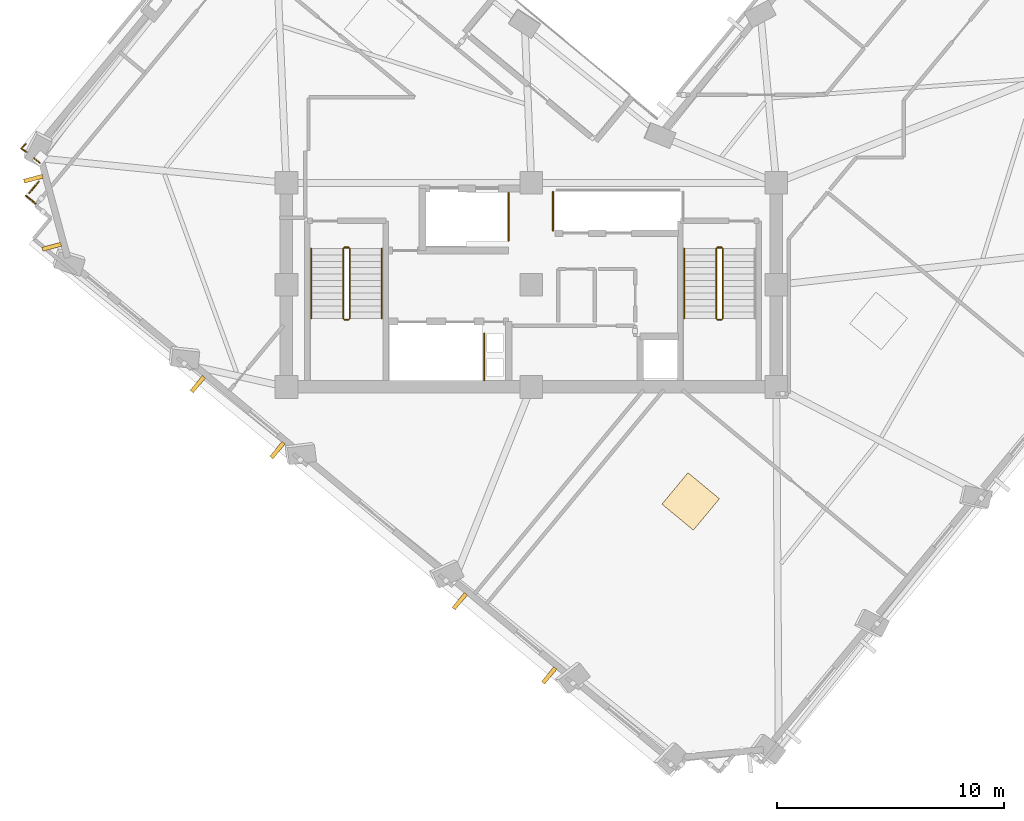
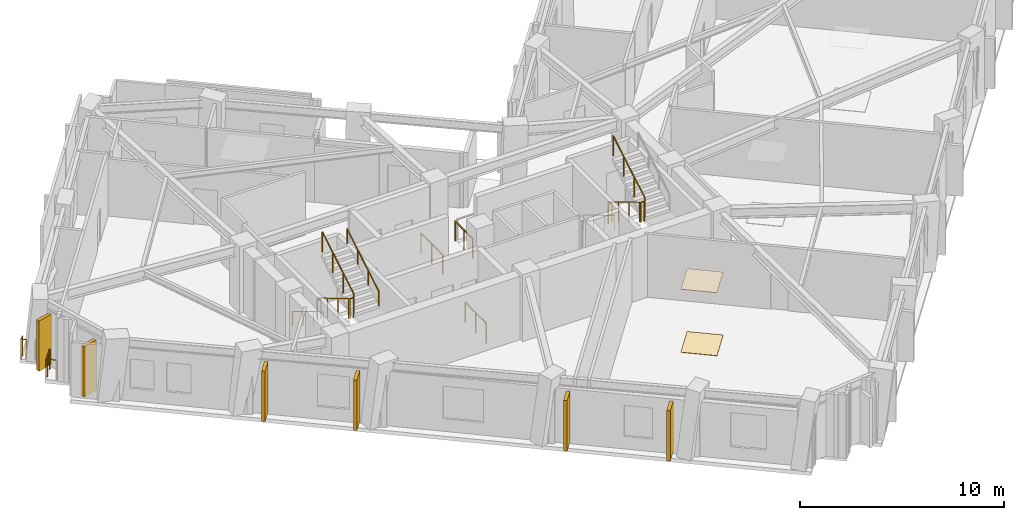
# One storey, part 8 of 10: 18 railings, 6 shading devices, 2 coverings.
"""IFC4 building model written with IfcOpenShell, lengths in metres."""

from ifc_helpers import new_model, si_unit, direction, frame, origin, origin_2d, place, context, subcontext, project, spatial, rectangle, circle, extrude, material, layer, layer_set, type_object, element, save


model = new_model("IFC4")

# Units and contexts
model_context = context("Model", 3, precision=1e-05, world=origin(), true_north=direction((0.0, 1.0)))
body_context = subcontext(model_context, "Body", "Model", "MODEL_VIEW")
ifc_project = project(units=[si_unit("LENGTHUNIT", "METRE"), si_unit("AREAUNIT", "SQUARE_METRE"), si_unit("VOLUMEUNIT", "CUBIC_METRE"), si_unit("PLANEANGLEUNIT", "RADIAN"), si_unit("MASSUNIT", "GRAM", prefix="KILO")], contexts=[model_context])

# Site, building, storey
site_placement = place(None, origin())
site = spatial("IfcSite", under=ifc_project, at=site_placement, CompositionType="ELEMENT")
building_placement = place(site_placement, origin())
building = spatial("IfcBuilding", under=site, at=building_placement, Name="Gaonmaruhae Medical Tower", CompositionType="ELEMENT")
storey_placement = place(building_placement, frame((0.0, 0.0, 239.199951171875)))
storey = spatial("IfcBuildingStorey", under=building, at=storey_placement, Name="L57", CompositionType="ELEMENT", Elevation=239.199951171875)

# Coverings
ifc_material_1 = material(Name="Acoustic mineral ceiling tile", Category="finish")
ifc_layer_1 = layer(ifc_material_1, 0.02490234375)
ifc_layer_set_1 = layer_set([ifc_layer_1], Name="Acoustic mineral ceiling tile")
covering_type_1 = type_object("IfcCoveringType", Name="CLG-01 Antimicrobial Acoustic Mineral Ceiling", PredefinedType="CEILING", material=ifc_layer_set_1)
covering_1_placement = place(storey_placement, frame((31.826904296875, 2.75, 3.755126953125), z_axis=(0.0, 0.0, 1.0), x_axis=(0.638096146601, 0.769956692089, 0.0)))
element("IfcCovering", 1, at=covering_1_placement, inside=storey, type_object=covering_type_1, Name="L57 Clinical Room Acoustic Ceiling 2", PredefinedType="CEILING", context=body_context, shape_type="SweptSolid", body=[
    extrude(rectangle(XDim=1.800048828125, YDim=1.800048828125, at=origin_2d()), origin(), (0.0, 0.0, 1.0), 0.02490234375),
])
ifc_material_2 = material(Name="Seamless clinical vinyl flooring", Category="finish")
ifc_layer_2 = layer(ifc_material_2, 0.014892578125)
ifc_layer_set_2 = layer_set([ifc_layer_2], Name="Seamless clinical vinyl flooring")
covering_type_2 = type_object("IfcCoveringType", Name="FLR-01 Seamless Clinical Antistatic Vinyl Flooring", PredefinedType="FLOORING", material=ifc_layer_set_2)
covering_2_placement = place(storey_placement, frame((31.826904296875, 2.75, 0.0), z_axis=(0.0, 0.0, 1.0), x_axis=(0.638096146601, 0.769956692089, 0.0)))
element("IfcCovering", 2, at=covering_2_placement, inside=storey, type_object=covering_type_2, Name="L57 Clinical Room Vinyl Flooring 2", PredefinedType="FLOORING", context=body_context, shape_type="SweptSolid", body=[
    extrude(rectangle(XDim=1.800048828125, YDim=1.800048828125, at=origin_2d()), origin(), (0.0, 0.0, 1.0), 0.014892578125),
])

# Railings
ifc_material_3 = material(Name="Stainless steel 316L and laminated safety glass", Category="steel")
ifc_layer_3 = layer(ifc_material_3, 0.080078125)
ifc_layer_set_3 = layer_set([ifc_layer_3], Name="Stainless steel 316L and laminated safety glass")
railing_type_1 = type_object("IfcRailingType", Name="GD-120 Outdoor Terrace Safety Glass & Steel Balustrade", PredefinedType="BALUSTRADE", material=ifc_layer_set_3)
railing_1_placement = place(storey_placement, frame((2.9375, 15.884765625, 0.0)))
element("IfcRailing", 3, at=railing_1_placement, inside=storey, type_object=railing_type_1, Name="L57 Perimeter Slab Edge Safety Balustrade 05", PredefinedType="BALUSTRADE", context=body_context, shape_type="SweptSolid", body=[
    extrude(circle(Radius=0.02392578125, at=origin_2d()), frame((0.0, 0.0, 1.17578125), z_axis=(-0.770076645584, 0.6379513774, 0.0), x_axis=(-0.6379513774, -0.770076645584, 0.0)), (0.0, 0.0, 1.0), 0.559814453125),
    extrude(circle(Radius=0.02099609375, at=origin_2d()), origin(), (0.0, 0.0, 1.0), 1.15185546875),
    extrude(circle(Radius=0.02099609375, at=origin_2d()), frame((-0.43115234375, 0.357177734375, 0.0)), (0.0, 0.0, 1.0), 1.15185546875),
])
railing_2_placement = place(storey_placement, frame((2.661865234375, 16.351318359375, 0.0)))
element("IfcRailing", 4, at=railing_2_placement, inside=storey, type_object=railing_type_1, Name="L57 Perimeter Slab Edge Safety Balustrade 06", PredefinedType="BALUSTRADE", context=body_context, shape_type="SweptSolid", body=[
    extrude(circle(Radius=0.02392578125, at=origin_2d()), frame((0.0, 0.0, 1.17578125), z_axis=(0.6379990675, 0.770037135383, 0.0), x_axis=(-0.770037135383, 0.6379990675, 0.0)), (0.0, 0.0, 1.0), 0.66015625),
    extrude(circle(Radius=0.02099609375, at=origin_2d()), origin(), (0.0, 0.0, 1.0), 1.15185546875),
    extrude(circle(Radius=0.02099609375, at=origin_2d()), frame((0.421142578125, 0.50830078125, 0.0)), (0.0, 0.0, 1.0), 1.15185546875),
])
railing_3_placement = place(storey_placement, frame((3.124755859375, 17.677734375, 0.0)))
element("IfcRailing", 5, at=railing_3_placement, inside=storey, type_object=railing_type_1, Name="L57 Perimeter Slab Edge Safety Balustrade 07", PredefinedType="BALUSTRADE", context=body_context, shape_type="SweptSolid", body=[
    extrude(circle(Radius=0.02392578125, at=origin_2d()), frame((0.0, 0.0, 1.17578125), z_axis=(-0.769811700196, 0.638271060163, 0.0), x_axis=(-0.638271060163, -0.769811700196, 0.0)), (0.0, 0.0, 1.0), 0.32666015625),
    extrude(circle(Radius=0.02099609375, at=origin_2d()), origin(), (0.0, 0.0, 1.0), 1.15185546875),
    extrude(circle(Radius=0.02099609375, at=origin_2d()), frame((-0.25146484375, 0.20849609375, 0.0)), (0.0, 0.0, 1.0), 1.15185546875),
])
railing_4_placement = place(storey_placement, frame((2.53955078125, 18.16259765625, 0.0)))
element("IfcRailing", 6, at=railing_4_placement, inside=storey, type_object=railing_type_1, Name="L57 Perimeter Corner Safety Balustrade 12", PredefinedType="BALUSTRADE", context=body_context, shape_type="SweptSolid", body=[
    extrude(circle(Radius=0.02392578125, at=origin_2d()), frame((0.0, 0.0, 1.17578125), z_axis=(-0.841730534215, 0.539897867906, 0.0), x_axis=(-0.539897867906, -0.841730534215, 0.0)), (0.0, 0.0, 1.0), 0.287109375),
    extrude(circle(Radius=0.02392578125, at=origin_2d()), frame((-0.24169921875, 0.155029296875, 1.17578125), z_axis=(0.727225409927, 0.686398720247, 0.0), x_axis=(-0.686398720247, 0.727225409927, 0.0)), (0.0, 0.0, 1.0), 0.287109375),
    extrude(circle(Radius=0.02099609375, at=origin_2d()), origin(), (0.0, 0.0, 1.0), 1.15185546875),
    extrude(circle(Radius=0.02099609375, at=origin_2d()), frame((-0.24169921875, 0.155029296875, 0.0)), (0.0, 0.0, 1.0), 1.15185546875),
    extrude(circle(Radius=0.02099609375, at=origin_2d()), frame((-0.032958984375, 0.35205078125, 0.0)), (0.0, 0.0, 1.0), 1.15185546875),
])
ifc_material_4 = material(Name="Stainless steel 304 handrail", Category="steel")
railing_type_2 = type_object("IfcRailingType", Name="HR-092 Continuous Stainless Steel Stair Handrail", PredefinedType="HANDRAIL", material=ifc_material_4)
railing_5_placement = place(storey_placement, frame((15.10009765625, 13.89990234375, 0.166748046875)))
element("IfcRailing", 7, at=railing_5_placement, inside=storey, type_object=railing_type_2, Name="L57 ST-01 stair handrail 1", PredefinedType="HANDRAIL", context=body_context, shape_type="SweptSolid", body=[
    extrude(circle(Radius=0.02392578125, at=origin_2d()), frame((0.0, 0.0, 0.8759765625), z_axis=(0.0, -0.859290745958, 0.51148745235), x_axis=(1.0, 0.0, 0.0)), (0.0, 0.0, 1.0), 3.584228515625),
    extrude(circle(Radius=0.02099609375, at=origin_2d()), origin(), (0.0, 0.0, 1.0), 0.851806640625),
    extrude(circle(Radius=0.02099609375, at=origin_2d()), frame((0.0, -1.026611328125, 0.611083984375)), (0.0, 0.0, 1.0), 0.851806640625),
    extrude(circle(Radius=0.02099609375, at=origin_2d()), frame((0.0, -2.05322265625, 1.22216796875)), (0.0, 0.0, 1.0), 0.851806640625),
    extrude(circle(Radius=0.02099609375, at=origin_2d()), frame((0.0, -3.079833984375, 1.833251953125)), (0.0, 0.0, 1.0), 0.851806640625),
])
railing_6_placement = place(storey_placement, frame((18.199951171875, 10.820068359375, 2.166748046875)))
element("IfcRailing", 8, at=railing_6_placement, inside=storey, type_object=railing_type_2, Name="L57 ST-01 stair handrail 2", PredefinedType="HANDRAIL", context=body_context, shape_type="SweptSolid", body=[
    extrude(circle(Radius=0.02392578125, at=origin_2d()), frame((0.0, 0.0, 0.8759765625), z_axis=(0.0, 0.859290745958, 0.51148745235), x_axis=(-1.0, 0.0, 0.0)), (0.0, 0.0, 1.0), 3.584228515625),
    extrude(circle(Radius=0.02099609375, at=origin_2d()), origin(), (0.0, 0.0, 1.0), 0.851806640625),
    extrude(circle(Radius=0.02099609375, at=origin_2d()), frame((0.0, 1.026611328125, 0.611083984375)), (0.0, 0.0, 1.0), 0.851806640625),
    extrude(circle(Radius=0.02099609375, at=origin_2d()), frame((0.0, 2.05322265625, 1.22216796875)), (0.0, 0.0, 1.0), 0.851806640625),
    extrude(circle(Radius=0.02099609375, at=origin_2d()), frame((0.0, 3.079833984375, 1.833251953125)), (0.0, 0.0, 1.0), 0.851806640625),
])
railing_7_placement = place(storey_placement, frame((31.550048828125, 13.89990234375, 0.166748046875)))
element("IfcRailing", 9, at=railing_7_placement, inside=storey, type_object=railing_type_2, Name="L57 ST-02 stair handrail 1", PredefinedType="HANDRAIL", context=body_context, shape_type="SweptSolid", body=[
    extrude(circle(Radius=0.02392578125, at=origin_2d()), frame((0.0, 0.0, 0.8759765625), z_axis=(0.0, -0.859290745958, 0.51148745235), x_axis=(1.0, 0.0, 0.0)), (0.0, 0.0, 1.0), 3.584228515625),
    extrude(circle(Radius=0.02099609375, at=origin_2d()), origin(), (0.0, 0.0, 1.0), 0.851806640625),
    extrude(circle(Radius=0.02099609375, at=origin_2d()), frame((0.0, -1.026611328125, 0.611083984375)), (0.0, 0.0, 1.0), 0.851806640625),
    extrude(circle(Radius=0.02099609375, at=origin_2d()), frame((0.0, -2.05322265625, 1.22216796875)), (0.0, 0.0, 1.0), 0.851806640625),
    extrude(circle(Radius=0.02099609375, at=origin_2d()), frame((0.0, -3.079833984375, 1.833251953125)), (0.0, 0.0, 1.0), 0.851806640625),
])

# Shading devices
ifc_material_5 = material(Name="Pigmented coral precast concrete C45/55", Category="concrete")
shading_device_type = type_object("IfcShadingDeviceType", Name="SD-FIN1 Tower Vertical Coral Precast Shading Fin", PredefinedType="USERDEFINED", material=ifc_material_5)
for number, where, z_axis, x_axis, name in (
    (10, (3.649169921875, 13.982177734375, 0.132568359375), (0.0, 0.0, 1.0), (-0.261043689625, 0.965326987143, 0.0), "L57 Vertical Coral Precast Shading Fin N03"),
    (11, (2.837890625, 16.982421875, 0.132568359375), (0.0, 0.0, 1.0), (-0.261043689625, 0.965326987143, 0.0), "L57 Vertical Coral Precast Shading Fin N03B"),
    (12, (13.60400390625, 5.01220703125, 0.132568359375), (0.0, 0.0, 1.0), (-0.769956692089, 0.638096146601, 0.0), "L57 Vertical Coral Precast Shading Fin W02"),
    (13, (10.09228515625, 7.922607421875, 0.132568359375), (0.0, 0.0, 1.0), (-0.769956692089, 0.638096146601, 0.0), "L57 Vertical Coral Precast Shading Fin W02B"),
    (14, (25.5888671875, -4.919921875, 0.132568359375), (0.0, 0.0, 1.0), (-0.769967828851, 0.638082708225, 0.0), "L57 Vertical Coral Precast Shading Fin W04"),
    (15, (21.642578125, -1.649658203125, 0.132568359375), (0.0, 0.0, 1.0), (-0.769967828851, 0.638082708225, 0.0), "L57 Vertical Coral Precast Shading Fin W04B"),
):
    element("IfcShadingDevice", number, at=place(storey_placement, frame(where, z_axis=z_axis, x_axis=x_axis)), inside=storey, type_object=shading_device_type, Name=name, ObjectType="FIN", PredefinedType="USERDEFINED", context=body_context, shape_type="SweptSolid", body=[
        extrude(rectangle(XDim=0.179931640625, YDim=0.85009765625, at=origin_2d()), origin(), (0.0, 0.0, 1.0), 3.0),
    ])

# Railings
ifc_material_6 = material(Name="Stainless steel 304 balustrade", Category="steel")
railing_type_3 = type_object("IfcRailingType", Name="SG-112 Stair Well & Ramp Void Safety Balustrade", PredefinedType="BALUSTRADE", material=ifc_material_6)
railing_8_placement = place(storey_placement, frame((16.5, 13.89990234375, 0.166748046875)))
element("IfcRailing", 16, at=railing_8_placement, inside=storey, type_object=railing_type_3, Name="L57 ST-01 stair guard 1", PredefinedType="BALUSTRADE", context=body_context, shape_type="SweptSolid", body=[
    extrude(circle(Radius=0.02392578125, at=origin_2d()), frame((0.0, 0.0, 1.17578125), z_axis=(0.0, -0.859290745958, 0.51148745235), x_axis=(1.0, 0.0, 0.0)), (0.0, 0.0, 1.0), 3.584228515625),
    extrude(circle(Radius=0.02099609375, at=origin_2d()), origin(), (0.0, 0.0, 1.0), 1.15185546875),
    extrude(circle(Radius=0.02099609375, at=origin_2d()), frame((0.0, -1.026611328125, 0.611083984375)), (0.0, 0.0, 1.0), 1.15185546875),
    extrude(circle(Radius=0.02099609375, at=origin_2d()), frame((0.0, -2.05322265625, 1.22216796875)), (0.0, 0.0, 1.0), 1.15185546875),
    extrude(circle(Radius=0.02099609375, at=origin_2d()), frame((0.0, -3.079833984375, 1.833251953125)), (0.0, 0.0, 1.0), 1.15185546875),
])
railing_9_placement = place(storey_placement, frame((16.550048828125, 10.77001953125, 2.0)))
element("IfcRailing", 17, at=railing_9_placement, inside=storey, type_object=railing_type_3, Name="L57 ST-01 stair guard 2", PredefinedType="BALUSTRADE", context=body_context, shape_type="SweptSolid", body=[
    extrude(circle(Radius=0.02392578125, at=origin_2d()), frame((0.0, 0.0, 1.17578125), z_axis=(1.0, 0.0, 0.0), x_axis=(0.0, 1.0, 0.0)), (0.0, 0.0, 1.0), 0.199951171875),
    extrude(circle(Radius=0.02099609375, at=origin_2d()), origin(), (0.0, 0.0, 1.0), 1.15185546875),
    extrude(circle(Radius=0.02099609375, at=origin_2d()), frame((0.199951171875, 0.0, 0.0)), (0.0, 0.0, 1.0), 1.15185546875),
])
railing_10_placement = place(storey_placement, frame((16.800048828125, 10.820068359375, 2.166748046875)))
element("IfcRailing", 18, at=railing_10_placement, inside=storey, type_object=railing_type_3, Name="L57 ST-01 stair guard 3", PredefinedType="BALUSTRADE", context=body_context, shape_type="SweptSolid", body=[
    extrude(circle(Radius=0.02392578125, at=origin_2d()), frame((0.0, 0.0, 1.17578125), z_axis=(0.0, 0.859290745958, 0.51148745235), x_axis=(-1.0, 0.0, 0.0)), (0.0, 0.0, 1.0), 3.584228515625),
    extrude(circle(Radius=0.02099609375, at=origin_2d()), origin(), (0.0, 0.0, 1.0), 1.15185546875),
    extrude(circle(Radius=0.02099609375, at=origin_2d()), frame((0.0, 1.026611328125, 0.611083984375)), (0.0, 0.0, 1.0), 1.15185546875),
    extrude(circle(Radius=0.02099609375, at=origin_2d()), frame((0.0, 2.05322265625, 1.22216796875)), (0.0, 0.0, 1.0), 1.15185546875),
    extrude(circle(Radius=0.02099609375, at=origin_2d()), frame((0.0, 3.079833984375, 1.833251953125)), (0.0, 0.0, 1.0), 1.15185546875),
])
railing_11_placement = place(storey_placement, frame((16.550048828125, 13.949951171875, 0.0)))
element("IfcRailing", 19, at=railing_11_placement, inside=storey, type_object=railing_type_3, Name="L57 ST-01 stair guard 4", PredefinedType="BALUSTRADE", context=body_context, shape_type="SweptSolid", body=[
    extrude(circle(Radius=0.02392578125, at=origin_2d()), frame((0.0, 0.0, 1.17578125), z_axis=(1.0, 0.0, 0.0), x_axis=(0.0, 1.0, 0.0)), (0.0, 0.0, 1.0), 0.199951171875),
    extrude(circle(Radius=0.02099609375, at=origin_2d()), origin(), (0.0, 0.0, 1.0), 1.15185546875),
    extrude(circle(Radius=0.02099609375, at=origin_2d()), frame((0.199951171875, 0.0, 0.0)), (0.0, 0.0, 1.0), 1.15185546875),
])
railing_12_placement = place(storey_placement, frame((32.949951171875, 13.89990234375, 0.166748046875)))
element("IfcRailing", 20, at=railing_12_placement, inside=storey, type_object=railing_type_3, Name="L57 ST-02 stair guard 1", PredefinedType="BALUSTRADE", context=body_context, shape_type="SweptSolid", body=[
    extrude(circle(Radius=0.02392578125, at=origin_2d()), frame((0.0, 0.0, 1.17578125), z_axis=(0.0, -0.859290745958, 0.51148745235), x_axis=(1.0, 0.0, 0.0)), (0.0, 0.0, 1.0), 3.584228515625),
    extrude(circle(Radius=0.02099609375, at=origin_2d()), origin(), (0.0, 0.0, 1.0), 1.15185546875),
    extrude(circle(Radius=0.02099609375, at=origin_2d()), frame((0.0, -1.026611328125, 0.611083984375)), (0.0, 0.0, 1.0), 1.15185546875),
    extrude(circle(Radius=0.02099609375, at=origin_2d()), frame((0.0, -2.05322265625, 1.22216796875)), (0.0, 0.0, 1.0), 1.15185546875),
    extrude(circle(Radius=0.02099609375, at=origin_2d()), frame((0.0, -3.079833984375, 1.833251953125)), (0.0, 0.0, 1.0), 1.15185546875),
])
railing_13_placement = place(storey_placement, frame((33.0, 10.77001953125, 2.0)))
element("IfcRailing", 21, at=railing_13_placement, inside=storey, type_object=railing_type_3, Name="L57 ST-02 stair guard 2", PredefinedType="BALUSTRADE", context=body_context, shape_type="SweptSolid", body=[
    extrude(circle(Radius=0.02392578125, at=origin_2d()), frame((0.0, 0.0, 1.17578125), z_axis=(1.0, 0.0, 0.0), x_axis=(0.0, 1.0, 0.0)), (0.0, 0.0, 1.0), 0.199951171875),
    extrude(circle(Radius=0.02099609375, at=origin_2d()), origin(), (0.0, 0.0, 1.0), 1.15185546875),
    extrude(circle(Radius=0.02099609375, at=origin_2d()), frame((0.199951171875, 0.0, 0.0)), (0.0, 0.0, 1.0), 1.15185546875),
])
railing_14_placement = place(storey_placement, frame((33.25, 10.820068359375, 2.166748046875)))
element("IfcRailing", 22, at=railing_14_placement, inside=storey, type_object=railing_type_3, Name="L57 ST-02 stair guard 3", PredefinedType="BALUSTRADE", context=body_context, shape_type="SweptSolid", body=[
    extrude(circle(Radius=0.02392578125, at=origin_2d()), frame((0.0, 0.0, 1.17578125), z_axis=(0.0, 0.859290745958, 0.51148745235), x_axis=(-1.0, 0.0, 0.0)), (0.0, 0.0, 1.0), 3.584228515625),
    extrude(circle(Radius=0.02099609375, at=origin_2d()), origin(), (0.0, 0.0, 1.0), 1.15185546875),
    extrude(circle(Radius=0.02099609375, at=origin_2d()), frame((0.0, 1.026611328125, 0.611083984375)), (0.0, 0.0, 1.0), 1.15185546875),
    extrude(circle(Radius=0.02099609375, at=origin_2d()), frame((0.0, 2.05322265625, 1.22216796875)), (0.0, 0.0, 1.0), 1.15185546875),
    extrude(circle(Radius=0.02099609375, at=origin_2d()), frame((0.0, 3.079833984375, 1.833251953125)), (0.0, 0.0, 1.0), 1.15185546875),
])
railing_15_placement = place(storey_placement, frame((33.0, 13.949951171875, 0.0)))
element("IfcRailing", 23, at=railing_15_placement, inside=storey, type_object=railing_type_3, Name="L57 ST-02 stair guard 4", PredefinedType="BALUSTRADE", context=body_context, shape_type="SweptSolid", body=[
    extrude(circle(Radius=0.02392578125, at=origin_2d()), frame((0.0, 0.0, 1.17578125), z_axis=(1.0, 0.0, 0.0), x_axis=(0.0, 1.0, 0.0)), (0.0, 0.0, 1.0), 0.199951171875),
    extrude(circle(Radius=0.02099609375, at=origin_2d()), origin(), (0.0, 0.0, 1.0), 1.15185546875),
    extrude(circle(Radius=0.02099609375, at=origin_2d()), frame((0.199951171875, 0.0, 0.0)), (0.0, 0.0, 1.0), 1.15185546875),
])
railing_16_placement = place(storey_placement, frame((22.719970703125, 10.159912109375, 0.0)))
element("IfcRailing", 24, at=railing_16_placement, inside=storey, type_object=railing_type_3, Name="L57 Shaft Edge Safety Guard 13", PredefinedType="BALUSTRADE", context=body_context, shape_type="SweptSolid", body=[
    extrude(circle(Radius=0.02392578125, at=origin_2d()), frame((0.0, 0.0, 1.17578125), z_axis=(0.0, -1.0, 0.0), x_axis=(1.0, 0.0, 0.0)), (0.0, 0.0, 1.0), 2.06494140625),
    extrude(circle(Radius=0.02099609375, at=origin_2d()), origin(), (0.0, 0.0, 1.0), 1.15185546875),
    extrude(circle(Radius=0.02099609375, at=origin_2d()), frame((0.0, -1.032470703125, 0.0)), (0.0, 0.0, 1.0), 1.15185546875),
    extrude(circle(Radius=0.02099609375, at=origin_2d()), frame((0.0, -2.06494140625, 0.0)), (0.0, 0.0, 1.0), 1.15185546875),
])
railing_17_placement = place(storey_placement, frame((23.794921875, 16.35498046875, 0.0)))
element("IfcRailing", 25, at=railing_17_placement, inside=storey, type_object=railing_type_3, Name="L57 Shaft Edge Safety Guard 14", PredefinedType="BALUSTRADE", context=body_context, shape_type="SweptSolid", body=[
    extrude(circle(Radius=0.02392578125, at=origin_2d()), frame((0.0, 0.0, 1.17578125), z_axis=(0.0, -1.0, 0.0), x_axis=(1.0, 0.0, 0.0)), (0.0, 0.0, 1.0), 2.10986328125),
    extrude(circle(Radius=0.02099609375, at=origin_2d()), origin(), (0.0, 0.0, 1.0), 1.15185546875),
    extrude(circle(Radius=0.02099609375, at=origin_2d()), frame((0.0, -1.054931640625, 0.0)), (0.0, 0.0, 1.0), 1.15185546875),
    extrude(circle(Radius=0.02099609375, at=origin_2d()), frame((0.0, -2.10986328125, 0.0)), (0.0, 0.0, 1.0), 1.15185546875),
])
railing_18_placement = place(storey_placement, frame((25.7548828125, 14.695068359375, 0.0)))
element("IfcRailing", 26, at=railing_18_placement, inside=storey, type_object=railing_type_3, Name="L57 Shaft Edge Safety Guard 16", PredefinedType="BALUSTRADE", context=body_context, shape_type="SweptSolid", body=[
    extrude(circle(Radius=0.02392578125, at=origin_2d()), frame((0.0, 0.0, 1.17578125), z_axis=(0.0, 1.0, 0.0), x_axis=(-1.0, 0.0, 0.0)), (0.0, 0.0, 1.0), 1.7099609375),
    extrude(circle(Radius=0.02099609375, at=origin_2d()), origin(), (0.0, 0.0, 1.0), 1.15185546875),
    extrude(circle(Radius=0.02099609375, at=origin_2d()), frame((0.0, 0.85498046875, 0.0)), (0.0, 0.0, 1.0), 1.15185546875),
    extrude(circle(Radius=0.02099609375, at=origin_2d()), frame((0.0, 1.7099609375, 0.0)), (0.0, 0.0, 1.0), 1.15185546875),
])

save(model, "model.ifc")
